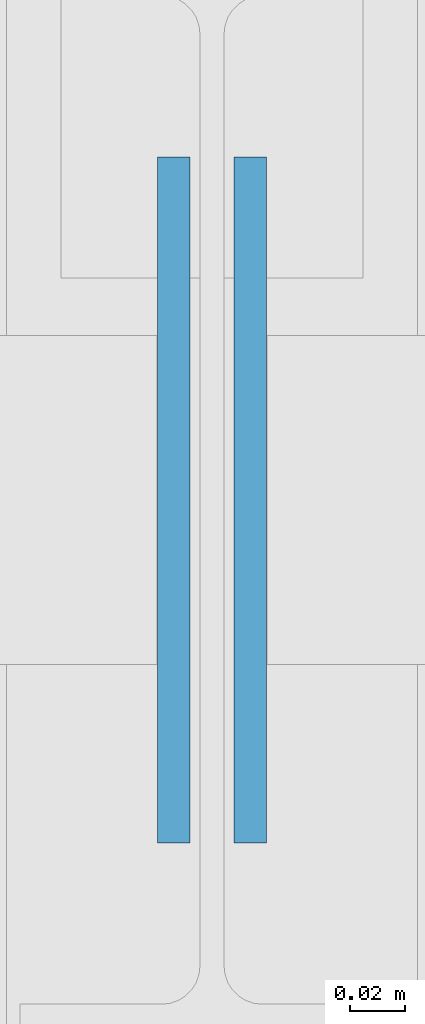
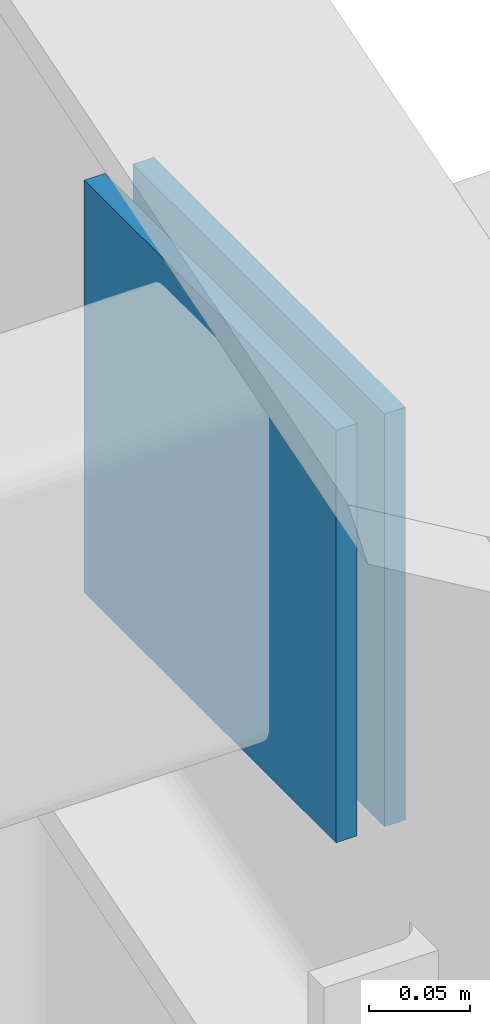
# One storey, part 135 of 163: 2 plates.
"""IFC4 building model written with IfcOpenShell, lengths in metres."""

from ifc_helpers import new_model, si_unit, direction, frame, origin, origin_2d, place, context, subcontext, project, spatial, rectangle, extrude, material, layer, layer_set, type_object, element, save


model = new_model("IFC4")

# Units and contexts
model_context = context("Model", 3, precision=1e-05, world=origin(), true_north=direction((0.0, 1.0)))
body_context = subcontext(model_context, "Body", "Model", "MODEL_VIEW")
ifc_project = project(units=[si_unit("LENGTHUNIT", "METRE"), si_unit("AREAUNIT", "SQUARE_METRE"), si_unit("VOLUMEUNIT", "CUBIC_METRE"), si_unit("PLANEANGLEUNIT", "RADIAN"), si_unit("MASSUNIT", "GRAM", prefix="KILO")], contexts=[model_context])

# Site, building, storey
site_placement = place(None, origin())
site = spatial("IfcSite", under=ifc_project, at=site_placement, CompositionType="ELEMENT")
building_placement = place(site_placement, origin())
building = spatial("IfcBuilding", under=site, at=building_placement, Name="Tharagai Park Tramway Depot", CompositionType="ELEMENT")
storey_placement = place(building_placement, frame((0.0, 0.0, 8.39990234375)))
storey = spatial("IfcBuildingStorey", under=building, at=storey_placement, Name="L02", CompositionType="ELEMENT", Elevation=8.39990234375)

# Plates
ifc_material = material(Name="Steel E350", Category="steel")
ifc_layer = layer(ifc_material, 0.011962890625)
ifc_layer_set = layer_set([ifc_layer], Name="Steel E350")
plate_type = type_object("IfcPlateType", Name="GP-04", PredefinedType="SHEET", material=ifc_layer_set)
for number, where, z_axis, x_axis, name in (
    (1, (125.986083984375, 94.5, 1.821533203125), (0.0, 0.0, 1.0), (1.0, 0.0, 0.0), "Tube End Cap Plate GP-04"),
    (2, (126.013916015625, 94.5, 1.821533203125), (0.0, 0.0, 1.0), (1.0, 0.0, 0.0), "Tube End Cap Plate GP-04"),
):
    element("IfcPlate", number, at=place(storey_placement, frame(where, z_axis=z_axis, x_axis=x_axis)), inside=storey, type_object=plate_type, Name=name, PredefinedType="SHEET", context=body_context, shape_type="SweptSolid", body=[
        extrude(rectangle(XDim=0.011962890625, YDim=0.25, at=origin_2d()), origin(), (0.0, 0.0, 1.0), 0.25),
    ])

save(model, "model.ifc")
